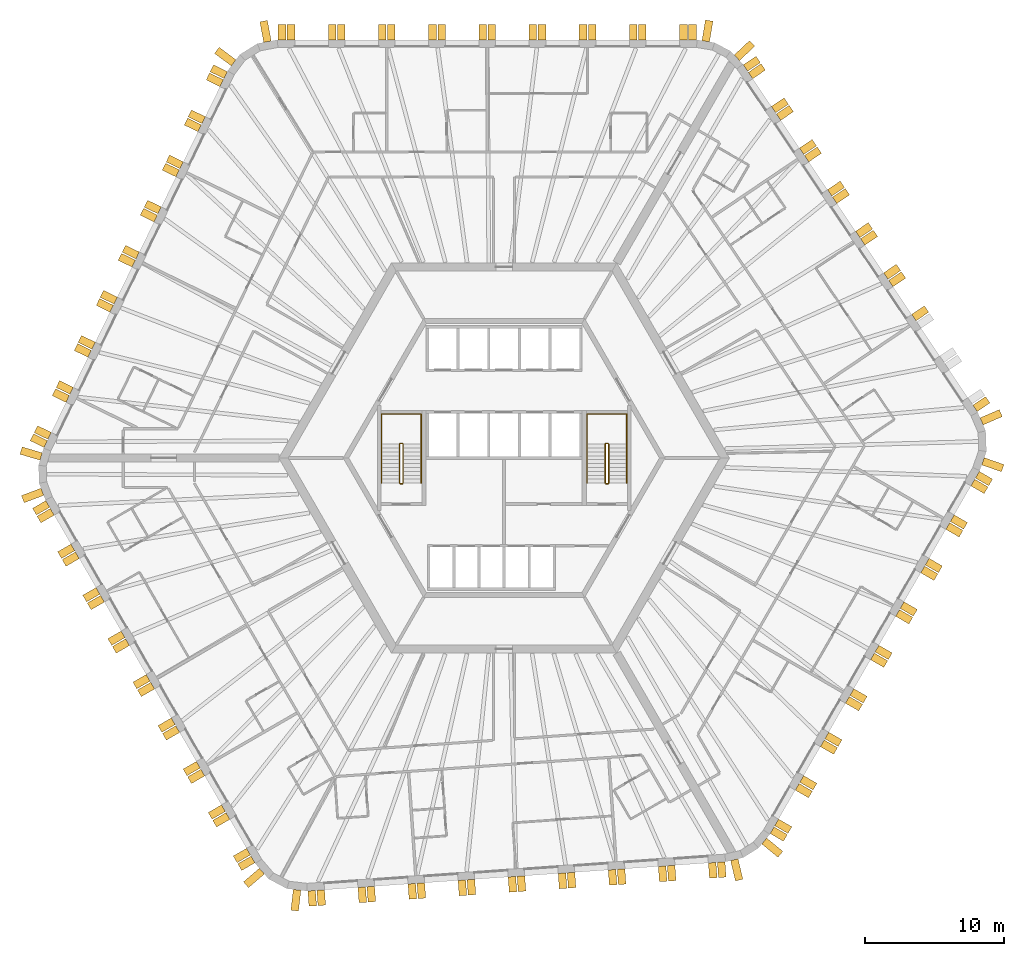
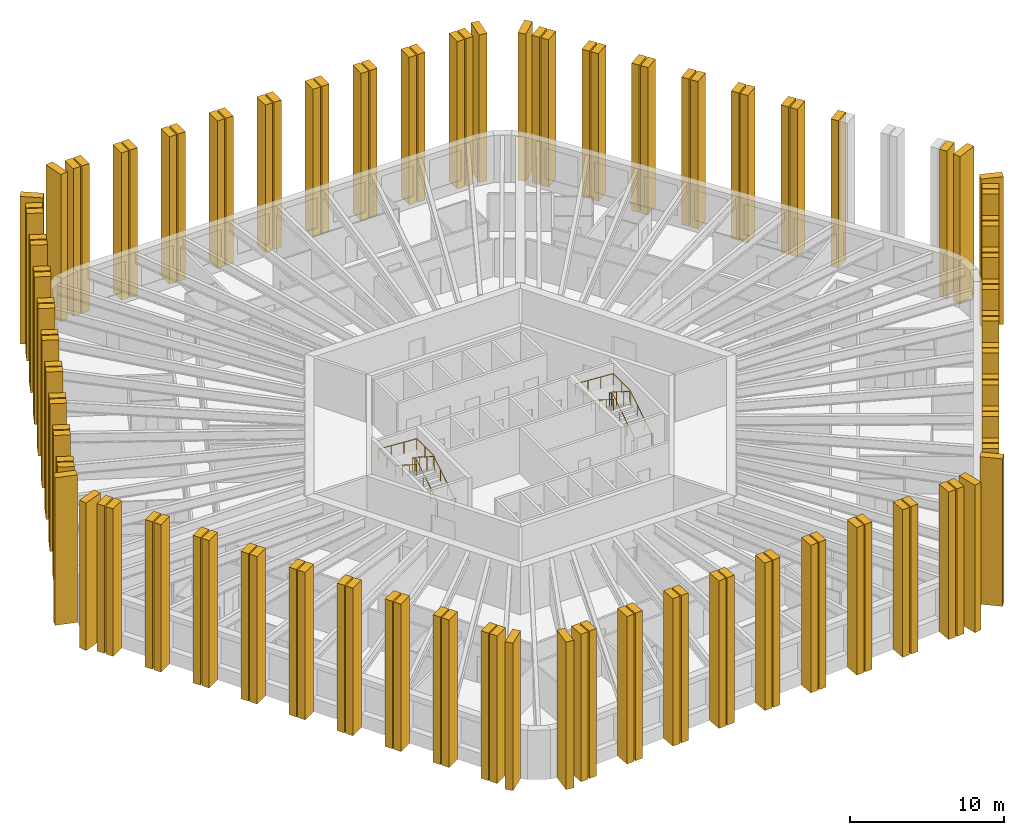
# One storey, part 12 of 13: 116 shading devices, 4 railings.
"""IFC4 building model written with IfcOpenShell, lengths in metres."""

from ifc_helpers import new_model, si_unit, direction, frame, origin, origin_2d, place, context, subcontext, project, spatial, polyline, circle, outline, extrude, material, layer, layer_set, type_object, element, save


model = new_model("IFC4")

# Units and contexts
model_context = context("Model", 3, precision=1e-05, world=origin(), true_north=direction((0.0, 1.0)))
body_context = subcontext(model_context, "Body", "Model", "MODEL_VIEW")
ifc_project = project(units=[si_unit("LENGTHUNIT", "METRE"), si_unit("AREAUNIT", "SQUARE_METRE"), si_unit("VOLUMEUNIT", "CUBIC_METRE"), si_unit("PLANEANGLEUNIT", "RADIAN"), si_unit("MASSUNIT", "GRAM", prefix="KILO")], contexts=[model_context])

# Site, building, storey
site_placement = place(None, origin())
site = spatial("IfcSite", under=ifc_project, at=site_placement, CompositionType="ELEMENT")
building_placement = place(site_placement, origin())
building = spatial("IfcBuilding", under=site, at=building_placement, Name="Tarnside Tower", CompositionType="ELEMENT")
storey_placement = place(building_placement, frame((0.0, 0.0, 123.300048828125)))
storey = spatial("IfcBuildingStorey", under=building, at=storey_placement, Name="L28", CompositionType="ELEMENT", Elevation=123.300048828125)

# Shading devices
ifc_material_1 = material(Name="Concrete C50/60 white precast", Category="concrete")
ifc_layer_1 = layer(ifc_material_1, 0.550048828125)
ifc_layer_set_1 = layer_set([ifc_layer_1], Name="Precast fin 550 x 1100")
shading_device_type_1 = type_object("IfcShadingDeviceType", Name="Precast fin 550 x 1100", PredefinedType="USERDEFINED", material=ifc_layer_set_1)
for number, where, z_axis, x_axis, name in (
    (1, (13.513916015625, 30.0, -0.150146484375), (1.0, 0.0, 0.0), (0.0, 1.0, 0.0), "Precast fin"),
    (2, (12.864013671875, 30.0, -0.150146484375), (1.0, 0.0, 0.0), (0.0, 1.0, 0.0), "Precast fin"),
    (3, (9.9140625, 30.0, -0.150146484375), (1.0, 0.0, 0.0), (0.0, 1.0, 0.0), "Precast fin"),
    (4, (9.263916015625, 30.0, -0.150146484375), (1.0, 0.0, 0.0), (0.0, 1.0, 0.0), "Precast fin"),
    (5, (6.31396484375, 30.0, -0.150146484375), (1.0, 0.0, 0.0), (0.0, 1.0, 0.0), "Precast fin"),
    (6, (5.6640625, 30.0, -0.150146484375), (1.0, 0.0, 0.0), (0.0, 1.0, 0.0), "Precast fin"),
    (7, (2.7138671875, 30.0, -0.150146484375), (1.0, 0.0, 0.0), (0.0, 1.0, 0.0), "Precast fin"),
    (8, (2.06396484375, 30.0, -0.150146484375), (1.0, 0.0, 0.0), (0.0, 1.0, 0.0), "Precast fin"),
    (9, (-0.885986328125, 30.0, -0.150146484375), (1.0, 0.0, 0.0), (0.0, 1.0, 0.0), "Precast fin"),
    (10, (-1.5361328125, 30.0, -0.150146484375), (1.0, 0.0, 0.0), (0.0, 1.0, 0.0), "Precast fin"),
    (11, (-4.486083984375, 30.0, -0.150146484375), (1.0, 0.0, 0.0), (0.0, 1.0, 0.0), "Precast fin"),
    (12, (-5.135986328125, 30.0, -0.150146484375), (1.0, 0.0, 0.0), (0.0, 1.0, 0.0), "Precast fin"),
    (13, (-8.0859375, 30.0, -0.150146484375), (1.0, 0.0, 0.0), (0.0, 1.0, 0.0), "Precast fin"),
    (14, (-8.736083984375, 30.0, -0.150146484375), (1.0, 0.0, 0.0), (0.0, 1.0, 0.0), "Precast fin"),
    (15, (-11.68603515625, 30.0, -0.150146484375), (1.0, 0.0, 0.0), (0.0, 1.0, 0.0), "Precast fin"),
    (16, (-12.3359375, 30.0, -0.150146484375), (1.0, 0.0, 0.0), (0.0, 1.0, 0.0), "Precast fin"),
    (17, (-15.2861328125, 30.0, -0.150146484375), (1.0, 0.0, 0.0), (0.0, 1.0, 0.0), "Precast fin"),
    (18, (-15.93603515625, 30.0, -0.150146484375), (1.0, 0.0, 0.0), (0.0, 1.0, 0.0), "Precast fin"),
    (19, (-19.977783203125, 27.474365234375, -0.150146484375), (0.438371146789, 0.898794046299, 0.0), (-0.898794046299, 0.438371146789, 0.0), "Precast fin"),
    (20, (-20.262939453125, 26.89013671875, -0.150146484375), (0.438371146789, 0.898794046299, 0.0), (-0.898794046299, 0.438371146789, 0.0), "Precast fin"),
    (21, (-21.555908203125, 24.23876953125, -0.150146484375), (0.438371146789, 0.898794046299, 0.0), (-0.898794046299, 0.438371146789, 0.0), "Precast fin"),
    (22, (-21.841064453125, 23.654541015625, -0.150146484375), (0.438371146789, 0.898794046299, 0.0), (-0.898794046299, 0.438371146789, 0.0), "Precast fin"),
    (23, (-23.13427734375, 21.003173828125, -0.150146484375), (0.438371146789, 0.898794046299, 0.0), (-0.898794046299, 0.438371146789, 0.0), "Precast fin"),
    (24, (-23.419189453125, 20.4189453125, -0.150146484375), (0.438371146789, 0.898794046299, 0.0), (-0.898794046299, 0.438371146789, 0.0), "Precast fin"),
    (25, (-24.71240234375, 17.767333984375, -0.150146484375), (0.438371146789, 0.898794046299, 0.0), (-0.898794046299, 0.438371146789, 0.0), "Precast fin"),
    (26, (-24.997314453125, 17.18310546875, -0.150146484375), (0.438371146789, 0.898794046299, 0.0), (-0.898794046299, 0.438371146789, 0.0), "Precast fin"),
    (27, (-26.29052734375, 14.53173828125, -0.150146484375), (0.438371146789, 0.898794046299, 0.0), (-0.898794046299, 0.438371146789, 0.0), "Precast fin"),
    (28, (-26.575439453125, 13.947509765625, -0.150146484375), (0.438371146789, 0.898794046299, 0.0), (-0.898794046299, 0.438371146789, 0.0), "Precast fin"),
    (29, (-27.86865234375, 11.296142578125, -0.150146484375), (0.438371146789, 0.898794046299, 0.0), (-0.898794046299, 0.438371146789, 0.0), "Precast fin"),
    (30, (-28.153564453125, 10.7119140625, -0.150146484375), (0.438371146789, 0.898794046299, 0.0), (-0.898794046299, 0.438371146789, 0.0), "Precast fin"),
    (31, (-29.44677734375, 8.060546875, -0.150146484375), (0.438371146789, 0.898794046299, 0.0), (-0.898794046299, 0.438371146789, 0.0), "Precast fin"),
    (32, (-29.731689453125, 7.476318359375, -0.150146484375), (0.438371146789, 0.898794046299, 0.0), (-0.898794046299, 0.438371146789, 0.0), "Precast fin"),
    (33, (-31.02490234375, 4.82470703125, -0.150146484375), (0.438371146789, 0.898794046299, 0.0), (-0.898794046299, 0.438371146789, 0.0), "Precast fin"),
    (34, (-31.309814453125, 4.240478515625, -0.150146484375), (0.438371146789, 0.898794046299, 0.0), (-0.898794046299, 0.438371146789, 0.0), "Precast fin"),
    (35, (-32.60302734375, 1.589111328125, -0.150146484375), (0.438371146789, 0.898794046299, 0.0), (-0.898794046299, 0.438371146789, 0.0), "Precast fin"),
    (36, (-32.887939453125, 1.0048828125, -0.150146484375), (0.438371146789, 0.898794046299, 0.0), (-0.898794046299, 0.438371146789, 0.0), "Precast fin"),
    (37, (-32.73779296875, -3.296630859375, -0.150146484375), (-0.5, 0.866025403784, 0.0), (-0.866025403784, -0.5, 0.0), "Precast fin"),
    (38, (-32.412841796875, -3.859375, -0.150146484375), (-0.5, 0.866025403784, 0.0), (-0.866025403784, -0.5, 0.0), "Precast fin"),
    (39, (-30.937744140625, -6.414306640625, -0.150146484375), (-0.5, 0.866025403784, 0.0), (-0.866025403784, -0.5, 0.0), "Precast fin"),
    (40, (-30.61279296875, -6.977294921875, -0.150146484375), (-0.5, 0.866025403784, 0.0), (-0.866025403784, -0.5, 0.0), "Precast fin"),
    (41, (-29.1376953125, -9.531982421875, -0.150146484375), (-0.5, 0.866025403784, 0.0), (-0.866025403784, -0.5, 0.0), "Precast fin"),
    (42, (-28.812744140625, -10.094970703125, -0.150146484375), (-0.5, 0.866025403784, 0.0), (-0.866025403784, -0.5, 0.0), "Precast fin"),
    (43, (-27.337646484375, -12.649658203125, -0.150146484375), (-0.5, 0.866025403784, 0.0), (-0.866025403784, -0.5, 0.0), "Precast fin"),
    (44, (-27.0126953125, -13.212646484375, -0.150146484375), (-0.5, 0.866025403784, 0.0), (-0.866025403784, -0.5, 0.0), "Precast fin"),
    (45, (-25.537841796875, -15.767333984375, -0.150146484375), (-0.5, 0.866025403784, 0.0), (-0.866025403784, -0.5, 0.0), "Precast fin"),
    (46, (-25.212646484375, -16.330322265625, -0.150146484375), (-0.5, 0.866025403784, 0.0), (-0.866025403784, -0.5, 0.0), "Precast fin"),
    (47, (-23.73779296875, -18.885009765625, -0.150146484375), (-0.5, 0.866025403784, 0.0), (-0.866025403784, -0.5, 0.0), "Precast fin"),
    (48, (-23.412841796875, -19.447998046875, -0.150146484375), (-0.5, 0.866025403784, 0.0), (-0.866025403784, -0.5, 0.0), "Precast fin"),
    (49, (-21.937744140625, -22.002685546875, -0.150146484375), (-0.5, 0.866025403784, 0.0), (-0.866025403784, -0.5, 0.0), "Precast fin"),
    (50, (-21.61279296875, -22.565673828125, -0.150146484375), (-0.5, 0.866025403784, 0.0), (-0.866025403784, -0.5, 0.0), "Precast fin"),
    (51, (-20.1376953125, -25.120361328125, -0.150146484375), (-0.5, 0.866025403784, 0.0), (-0.866025403784, -0.5, 0.0), "Precast fin"),
    (52, (-19.812744140625, -25.683349609375, -0.150146484375), (-0.5, 0.866025403784, 0.0), (-0.866025403784, -0.5, 0.0), "Precast fin"),
    (53, (-18.337646484375, -28.238037109375, -0.150146484375), (-0.5, 0.866025403784, 0.0), (-0.866025403784, -0.5, 0.0), "Precast fin"),
    (54, (-18.0126953125, -28.801025390625, -0.150146484375), (-0.5, 0.866025403784, 0.0), (-0.866025403784, -0.5, 0.0), "Precast fin"),
    (55, (-13.8046875, -31.03857421875, -0.150146484375), (-0.99756405026, -0.069756473744, 0.0), (0.069756473744, -0.99756405026, 0.0), "Precast fin"),
    (56, (-13.15625, -30.9931640625, -0.150146484375), (-0.99756405026, -0.069756473744, 0.0), (0.069756473744, -0.99756405026, 0.0), "Precast fin"),
    (57, (-10.21337890625, -30.787353515625, -0.150146484375), (-0.99756405026, -0.069756473744, 0.0), (0.069756473744, -0.99756405026, 0.0), "Precast fin"),
    (58, (-9.56494140625, -30.7421875, -0.150146484375), (-0.99756405026, -0.069756473744, 0.0), (0.069756473744, -0.99756405026, 0.0), "Precast fin"),
    (59, (-6.6220703125, -30.536376953125, -0.150146484375), (-0.99756405026, -0.069756473744, 0.0), (0.069756473744, -0.99756405026, 0.0), "Precast fin"),
    (60, (-5.9736328125, -30.490966796875, -0.150146484375), (-0.99756405026, -0.069756473744, 0.0), (0.069756473744, -0.99756405026, 0.0), "Precast fin"),
    (61, (-3.031005859375, -30.28515625, -0.150146484375), (-0.99756405026, -0.069756473744, 0.0), (0.069756473744, -0.99756405026, 0.0), "Precast fin"),
    (62, (-2.382568359375, -30.23974609375, -0.150146484375), (-0.99756405026, -0.069756473744, 0.0), (0.069756473744, -0.99756405026, 0.0), "Precast fin"),
    (63, (0.560302734375, -30.0341796875, -0.150146484375), (-0.99756405026, -0.069756473744, 0.0), (0.069756473744, -0.99756405026, 0.0), "Precast fin"),
    (64, (1.208740234375, -29.98876953125, -0.150146484375), (-0.99756405026, -0.069756473744, 0.0), (0.069756473744, -0.99756405026, 0.0), "Precast fin"),
    (65, (4.151611328125, -29.782958984375, -0.150146484375), (-0.99756405026, -0.069756473744, 0.0), (0.069756473744, -0.99756405026, 0.0), "Precast fin"),
    (66, (4.800048828125, -29.737548828125, -0.150146484375), (-0.99756405026, -0.069756473744, 0.0), (0.069756473744, -0.99756405026, 0.0), "Precast fin"),
    (67, (7.74267578125, -29.53173828125, -0.150146484375), (-0.99756405026, -0.069756473744, 0.0), (0.069756473744, -0.99756405026, 0.0), "Precast fin"),
    (68, (8.39111328125, -29.486572265625, -0.150146484375), (-0.99756405026, -0.069756473744, 0.0), (0.069756473744, -0.99756405026, 0.0), "Precast fin"),
    (69, (11.333984375, -29.28076171875, -0.150146484375), (-0.99756405026, -0.069756473744, 0.0), (0.069756473744, -0.99756405026, 0.0), "Precast fin"),
    (70, (11.982421875, -29.2353515625, -0.150146484375), (-0.99756405026, -0.069756473744, 0.0), (0.069756473744, -0.99756405026, 0.0), "Precast fin"),
    (71, (14.92529296875, -29.029541015625, -0.150146484375), (-0.99756405026, -0.069756473744, 0.0), (0.069756473744, -0.99756405026, 0.0), "Precast fin"),
    (72, (15.57373046875, -28.984130859375, -0.150146484375), (-0.99756405026, -0.069756473744, 0.0), (0.069756473744, -0.99756405026, 0.0), "Precast fin"),
    (73, (19.223876953125, -26.703369140625, -0.150146484375), (-0.5, -0.866025403784, 0.0), (0.866025403784, -0.5, 0.0), "Precast fin"),
    (74, (19.548828125, -26.140625, -0.150146484375), (-0.5, -0.866025403784, 0.0), (0.866025403784, -0.5, 0.0), "Precast fin"),
    (75, (21.023681640625, -23.585693359375, -0.150146484375), (-0.5, -0.866025403784, 0.0), (0.866025403784, -0.5, 0.0), "Precast fin"),
    (76, (21.348876953125, -23.022705078125, -0.150146484375), (-0.5, -0.866025403784, 0.0), (0.866025403784, -0.5, 0.0), "Precast fin"),
    (77, (22.82373046875, -20.468017578125, -0.150146484375), (-0.5, -0.866025403784, 0.0), (0.866025403784, -0.5, 0.0), "Precast fin"),
    (78, (23.148681640625, -19.905029296875, -0.150146484375), (-0.5, -0.866025403784, 0.0), (0.866025403784, -0.5, 0.0), "Precast fin"),
    (79, (24.623779296875, -17.350341796875, -0.150146484375), (-0.5, -0.866025403784, 0.0), (0.866025403784, -0.5, 0.0), "Precast fin"),
    (80, (24.94873046875, -16.787353515625, -0.150146484375), (-0.5, -0.866025403784, 0.0), (0.866025403784, -0.5, 0.0), "Precast fin"),
    (81, (26.423828125, -14.232666015625, -0.150146484375), (-0.5, -0.866025403784, 0.0), (0.866025403784, -0.5, 0.0), "Precast fin"),
    (82, (26.748779296875, -13.669677734375, -0.150146484375), (-0.5, -0.866025403784, 0.0), (0.866025403784, -0.5, 0.0), "Precast fin"),
    (83, (28.223876953125, -11.114990234375, -0.150146484375), (-0.5, -0.866025403784, 0.0), (0.866025403784, -0.5, 0.0), "Precast fin"),
    (84, (28.548828125, -10.552001953125, -0.150146484375), (-0.5, -0.866025403784, 0.0), (0.866025403784, -0.5, 0.0), "Precast fin"),
    (85, (30.023681640625, -7.997314453125, -0.150146484375), (-0.5, -0.866025403784, 0.0), (0.866025403784, -0.5, 0.0), "Precast fin"),
    (86, (30.348876953125, -7.434326171875, -0.150146484375), (-0.5, -0.866025403784, 0.0), (0.866025403784, -0.5, 0.0), "Precast fin"),
    (87, (31.82373046875, -4.879638671875, -0.150146484375), (-0.5, -0.866025403784, 0.0), (0.866025403784, -0.5, 0.0), "Precast fin"),
    (88, (32.148681640625, -4.316650390625, -0.150146484375), (-0.5, -0.866025403784, 0.0), (0.866025403784, -0.5, 0.0), "Precast fin"),
    (89, (33.623779296875, -1.761962890625, -0.150146484375), (-0.5, -0.866025403784, 0.0), (0.866025403784, -0.5, 0.0), "Precast fin"),
    (90, (33.94873046875, -1.198974609375, -0.150146484375), (-0.5, -0.866025403784, 0.0), (0.866025403784, -0.5, 0.0), "Precast fin"),
    (91, (33.782470703125, 3.564208984375, -0.150146484375), (0.559192903471, -0.829037572555, 0.0), (0.829037572555, 0.559192903471, 0.0), "Precast fin"),
    (92, (29.392822265625, 10.072021484375, -0.150146484375), (0.559192903471, -0.829037572555, 0.0), (0.829037572555, 0.559192903471, 0.0), "Precast fin"),
    (93, (27.7431640625, 12.517822265625, -0.150146484375), (0.559192903471, -0.829037572555, 0.0), (0.829037572555, 0.559192903471, 0.0), "Precast fin"),
    (94, (27.379638671875, 13.056640625, -0.150146484375), (0.559192903471, -0.829037572555, 0.0), (0.829037572555, 0.559192903471, 0.0), "Precast fin"),
    (95, (25.730224609375, 15.502197265625, -0.150146484375), (0.559192903471, -0.829037572555, 0.0), (0.829037572555, 0.559192903471, 0.0), "Precast fin"),
    (96, (25.36669921875, 16.041259765625, -0.150146484375), (0.559192903471, -0.829037572555, 0.0), (0.829037572555, 0.559192903471, 0.0), "Precast fin"),
    (97, (23.717041015625, 18.48681640625, -0.150146484375), (0.559192903471, -0.829037572555, 0.0), (0.829037572555, 0.559192903471, 0.0), "Precast fin"),
    (98, (23.353515625, 19.025634765625, -0.150146484375), (0.559192903471, -0.829037572555, 0.0), (0.829037572555, 0.559192903471, 0.0), "Precast fin"),
    (99, (21.703857421875, 21.471435546875, -0.150146484375), (0.559192903471, -0.829037572555, 0.0), (0.829037572555, 0.559192903471, 0.0), "Precast fin"),
    (100, (21.34033203125, 22.01025390625, -0.150146484375), (0.559192903471, -0.829037572555, 0.0), (0.829037572555, 0.559192903471, 0.0), "Precast fin"),
    (101, (19.69091796875, 24.455810546875, -0.150146484375), (0.559192903471, -0.829037572555, 0.0), (0.829037572555, 0.559192903471, 0.0), "Precast fin"),
    (102, (19.327392578125, 24.994873046875, -0.150146484375), (0.559192903471, -0.829037572555, 0.0), (0.829037572555, 0.559192903471, 0.0), "Precast fin"),
    (103, (17.677734375, 27.4404296875, -0.150146484375), (0.559192903471, -0.829037572555, 0.0), (0.829037572555, 0.559192903471, 0.0), "Precast fin"),
    (104, (17.314208984375, 27.979248046875, -0.150146484375), (0.559192903471, -0.829037572555, 0.0), (0.829037572555, 0.559192903471, 0.0), "Precast fin"),
):
    element("IfcShadingDevice", number, at=place(storey_placement, frame(where, z_axis=z_axis, x_axis=x_axis)), inside=storey, type_object=shading_device_type_1, Name=name, ObjectType="FIN", PredefinedType="USERDEFINED", context=body_context, shape_type="SweptSolid", body=[
        extrude(outline(polyline([(0.0, 0.0), (1.10009765625, 0.0), (1.10009765625, 11.7001953125), (0.0, 11.7001953125), (0.0, 0.0)])), frame((0.0, 0.0, -0.27490234375)), (0.0, 0.0, 1.0), 0.550048828125),
    ])
ifc_layer_2 = layer(ifc_material_1, 0.550048828125)
ifc_layer_set_2 = layer_set([ifc_layer_2], Name="Precast fin 550 x 1500")
shading_device_type_2 = type_object("IfcShadingDeviceType", Name="Precast fin 550 x 1500", PredefinedType="USERDEFINED", material=ifc_layer_set_2)
for number, where, z_axis, x_axis, name in (
    (105, (-16.97509765625, 29.86767578125, -0.150146484375), (0.982720646705, 0.18509492305, 0.0), (-0.18509492305, 0.982720646705, 0.0), "Precast fin"),
    (106, (-19.403564453125, 28.35009765625, -0.150146484375), (0.597158591707, 0.802123192752, 0.0), (-0.802123192752, 0.597158591707, 0.0), "Precast fin"),
    (107, (-33.213623046875, 0.10546875, -0.150146484375), (0.286803232717, 0.957989512314, 0.0), (-0.957989512314, 0.286803232717, 0.0), "Precast fin"),
    (108, (-33.125244140625, -2.422119140625, -0.150146484375), (-0.352930564719, 0.935649515837, 0.0), (-0.935649515837, -0.352930564719, 0.0), "Precast fin"),
    (109, (-17.378662109375, -29.634765625, -0.150146484375), (-0.651657228826, 0.758513583345, 0.0), (-0.758513583345, -0.651657228826, 0.0), "Precast fin"),
    (110, (-14.850341796875, -30.97900390625, -0.150146484375), (-0.993238357741, 0.116092914131, 0.0), (-0.116092914131, -0.993238357741, 0.0), "Precast fin"),
    (111, (16.515625, -28.81640625, -0.150146484375), (-0.973044870581, -0.230615870737, 0.0), (0.230615870737, -0.973044870581, 0.0), "Precast fin"),
    (112, (18.66015625, -27.476318359375, -0.150146484375), (-0.633830967394, -0.773471592738, 0.0), (0.773471592738, -0.633830967394, 0.0), "Precast fin"),
    (113, (34.353759765625, -0.23291015625, -0.150146484375), (-0.331063417879, -0.943608506396, 0.0), (0.943608506396, -0.331063417879, 0.0), "Precast fin"),
    (114, (34.253662109375, 2.62890625, -0.150146484375), (0.396079766034, -0.918216106883, 0.0), (0.918216106883, 0.396079766034, 0.0), "Precast fin"),
    (115, (16.697998046875, 28.711181640625, -0.150146484375), (0.686241637865, -0.727373641577, 0.0), (0.727373641577, 0.686241637865, 0.0), "Precast fin"),
    (116, (14.465087890625, 29.8984375, -0.150146484375), (0.986761532114, -0.1621779231, 0.0), (0.1621779231, 0.986761532114, 0.0), "Precast fin"),
):
    element("IfcShadingDevice", number, at=place(storey_placement, frame(where, z_axis=z_axis, x_axis=x_axis)), inside=storey, type_object=shading_device_type_2, Name=name, ObjectType="FIN", PredefinedType="USERDEFINED", context=body_context, shape_type="SweptSolid", body=[
        extrude(outline(polyline([(0.0, 0.0), (1.5, 0.0), (1.5, 11.7001953125), (0.0, 11.7001953125), (0.0, 0.0)])), frame((0.0, 0.0, -0.27490234375)), (0.0, 0.0, 1.0), 0.550048828125),
    ])

# Railings
ifc_material_2 = material(Name="Stainless steel", Category="steel")
railing_type_1 = type_object("IfcRailingType", Name="Stair guard 1100", PredefinedType="GUARDRAIL", material=ifc_material_2)
railing_1_placement = place(storey_placement, frame((7.300048828125, -1.85009765625, 0.0)))
element("IfcRailing", 117, at=railing_1_placement, inside=storey, type_object=railing_type_1, Name="L28 ST1 stair guard 1", PredefinedType="GUARDRAIL", context=body_context, shape_type="SweptSolid", body=[
    extrude(circle(Radius=0.02392578125, at=origin_2d()), frame((0.0, 0.0, 1.076171875), z_axis=(1.0, 0.0, 0.0), x_axis=(0.0, 1.0, 0.0)), (0.0, 0.0, 1.0), 0.14990234375),
    extrude(circle(Radius=0.02392578125, at=origin_2d()), frame((0.14990234375, 0.0, 1.076171875), z_axis=(0.262233686654, 0.262233686654, 0.928691007369), x_axis=(-0.707106781187, 0.707106781187, 0.0)), (0.0, 0.0, 1.0), 0.19091796875),
    extrude(circle(Radius=0.02392578125, at=origin_2d()), frame((0.199951171875, 0.050048828125, 1.25341796875), z_axis=(0.0, 0.844908973607, 0.534910110503), x_axis=(-1.0, 0.0, 0.0)), (0.0, 0.0, 1.0), 3.31396484375),
    extrude(circle(Radius=0.02392578125, at=origin_2d()), frame((0.199951171875, 2.85009765625, 3.02587890625), z_axis=(-0.707106781187, 0.707106781187, 0.0), x_axis=(-0.707106781187, -0.707106781187, 0.0)), (0.0, 0.0, 1.0), 0.07080078125),
    extrude(circle(Radius=0.02392578125, at=origin_2d()), frame((0.14990234375, 2.900146484375, 3.02587890625), z_axis=(-1.0, 0.0, 0.0), x_axis=(0.0, -1.0, 0.0)), (0.0, 0.0, 1.0), 0.14990234375),
    extrude(circle(Radius=0.02392578125, at=origin_2d()), frame((0.0, 2.900146484375, 3.02587890625), z_axis=(-0.262233686654, -0.262233686654, 0.928691007369), x_axis=(0.707106781187, -0.707106781187, 0.0)), (0.0, 0.0, 1.0), 0.19091796875),
    extrude(circle(Radius=0.02392578125, at=origin_2d()), frame((-0.050048828125, 2.85009765625, 3.203125), z_axis=(0.0, -0.844908973607, 0.534910110503), x_axis=(1.0, 0.0, 0.0)), (0.0, 0.0, 1.0), 3.31396484375),
    extrude(circle(Radius=0.02099609375, at=origin_2d()), origin(), (0.0, 0.0, 1.0), 1.052001953125),
    extrude(circle(Radius=0.02099609375, at=origin_2d()), frame((0.14990234375, 0.0, 0.0)), (0.0, 0.0, 1.0), 1.052001953125),
    extrude(circle(Radius=0.02099609375, at=origin_2d()), frame((0.199951171875, 0.050048828125, 0.17724609375)), (0.0, 0.0, 1.0), 1.052001953125),
    extrude(circle(Radius=0.02099609375, at=origin_2d()), frame((0.199951171875, 0.9833984375, 0.76806640625)), (0.0, 0.0, 1.0), 1.052001953125),
    extrude(circle(Radius=0.02099609375, at=origin_2d()), frame((0.199951171875, 1.916748046875, 1.359130859375)), (0.0, 0.0, 1.0), 1.052001953125),
    extrude(circle(Radius=0.02099609375, at=origin_2d()), frame((0.199951171875, 2.85009765625, 1.949951171875)), (0.0, 0.0, 1.0), 1.052001953125),
    extrude(circle(Radius=0.02099609375, at=origin_2d()), frame((0.14990234375, 2.900146484375, 1.949951171875)), (0.0, 0.0, 1.0), 1.052001953125),
    extrude(circle(Radius=0.02099609375, at=origin_2d()), frame((0.0, 2.900146484375, 1.949951171875)), (0.0, 0.0, 1.0), 1.052001953125),
    extrude(circle(Radius=0.02099609375, at=origin_2d()), frame((-0.050048828125, 2.85009765625, 2.127197265625)), (0.0, 0.0, 1.0), 1.052001953125),
    extrude(circle(Radius=0.02099609375, at=origin_2d()), frame((-0.050048828125, 1.916748046875, 2.718017578125)), (0.0, 0.0, 1.0), 1.052001953125),
    extrude(circle(Radius=0.02099609375, at=origin_2d()), frame((-0.050048828125, 0.9833984375, 3.30908203125)), (0.0, 0.0, 1.0), 1.052001953125),
    extrude(circle(Radius=0.02099609375, at=origin_2d()), frame((-0.050048828125, 0.050048828125, 3.89990234375)), (0.0, 0.0, 1.0), 1.052001953125),
])
railing_2_placement = place(storey_placement, frame((-7.449951171875, -1.85009765625, 0.0)))
element("IfcRailing", 118, at=railing_2_placement, inside=storey, type_object=railing_type_1, Name="L28 ST2 stair guard 1", PredefinedType="GUARDRAIL", context=body_context, shape_type="SweptSolid", body=[
    extrude(circle(Radius=0.02392578125, at=origin_2d()), frame((0.0, 0.0, 1.076171875), z_axis=(1.0, 0.0, 0.0), x_axis=(0.0, 1.0, 0.0)), (0.0, 0.0, 1.0), 0.14990234375),
    extrude(circle(Radius=0.02392578125, at=origin_2d()), frame((0.14990234375, 0.0, 1.076171875), z_axis=(0.262233686654, 0.262233686654, 0.928691007369), x_axis=(-0.707106781187, 0.707106781187, 0.0)), (0.0, 0.0, 1.0), 0.19091796875),
    extrude(circle(Radius=0.02392578125, at=origin_2d()), frame((0.199951171875, 0.050048828125, 1.25341796875), z_axis=(0.0, 0.844908973607, 0.534910110503), x_axis=(-1.0, 0.0, 0.0)), (0.0, 0.0, 1.0), 3.31396484375),
    extrude(circle(Radius=0.02392578125, at=origin_2d()), frame((0.199951171875, 2.85009765625, 3.02587890625), z_axis=(-0.707106781187, 0.707106781187, 0.0), x_axis=(-0.707106781187, -0.707106781187, 0.0)), (0.0, 0.0, 1.0), 0.07080078125),
    extrude(circle(Radius=0.02392578125, at=origin_2d()), frame((0.14990234375, 2.900146484375, 3.02587890625), z_axis=(-1.0, 0.0, 0.0), x_axis=(0.0, -1.0, 0.0)), (0.0, 0.0, 1.0), 0.14990234375),
    extrude(circle(Radius=0.02392578125, at=origin_2d()), frame((0.0, 2.900146484375, 3.02587890625), z_axis=(-0.262233686654, -0.262233686654, 0.928691007369), x_axis=(0.707106781187, -0.707106781187, 0.0)), (0.0, 0.0, 1.0), 0.19091796875),
    extrude(circle(Radius=0.02392578125, at=origin_2d()), frame((-0.050048828125, 2.85009765625, 3.203125), z_axis=(0.0, -0.844908973607, 0.534910110503), x_axis=(1.0, 0.0, 0.0)), (0.0, 0.0, 1.0), 3.31396484375),
    extrude(circle(Radius=0.02099609375, at=origin_2d()), origin(), (0.0, 0.0, 1.0), 1.052001953125),
    extrude(circle(Radius=0.02099609375, at=origin_2d()), frame((0.14990234375, 0.0, 0.0)), (0.0, 0.0, 1.0), 1.052001953125),
    extrude(circle(Radius=0.02099609375, at=origin_2d()), frame((0.199951171875, 0.050048828125, 0.17724609375)), (0.0, 0.0, 1.0), 1.052001953125),
    extrude(circle(Radius=0.02099609375, at=origin_2d()), frame((0.199951171875, 0.9833984375, 0.76806640625)), (0.0, 0.0, 1.0), 1.052001953125),
    extrude(circle(Radius=0.02099609375, at=origin_2d()), frame((0.199951171875, 1.916748046875, 1.359130859375)), (0.0, 0.0, 1.0), 1.052001953125),
    extrude(circle(Radius=0.02099609375, at=origin_2d()), frame((0.199951171875, 2.85009765625, 1.949951171875)), (0.0, 0.0, 1.0), 1.052001953125),
    extrude(circle(Radius=0.02099609375, at=origin_2d()), frame((0.14990234375, 2.900146484375, 1.949951171875)), (0.0, 0.0, 1.0), 1.052001953125),
    extrude(circle(Radius=0.02099609375, at=origin_2d()), frame((0.0, 2.900146484375, 1.949951171875)), (0.0, 0.0, 1.0), 1.052001953125),
    extrude(circle(Radius=0.02099609375, at=origin_2d()), frame((-0.050048828125, 2.85009765625, 2.127197265625)), (0.0, 0.0, 1.0), 1.052001953125),
    extrude(circle(Radius=0.02099609375, at=origin_2d()), frame((-0.050048828125, 1.916748046875, 2.718017578125)), (0.0, 0.0, 1.0), 1.052001953125),
    extrude(circle(Radius=0.02099609375, at=origin_2d()), frame((-0.050048828125, 0.9833984375, 3.30908203125)), (0.0, 0.0, 1.0), 1.052001953125),
    extrude(circle(Radius=0.02099609375, at=origin_2d()), frame((-0.050048828125, 0.050048828125, 3.89990234375)), (0.0, 0.0, 1.0), 1.052001953125),
])
railing_type_2 = type_object("IfcRailingType", Name="Stair handrail 900", PredefinedType="HANDRAIL", material=ifc_material_2)
railing_3_placement = place(storey_placement, frame((8.800048828125, -1.800048828125, 0.17724609375)))
element("IfcRailing", 119, at=railing_3_placement, inside=storey, type_object=railing_type_2, Name="L28 ST1 stair handrail 1", PredefinedType="HANDRAIL", context=body_context, shape_type="SweptSolid", body=[
    extrude(circle(Radius=0.02392578125, at=origin_2d()), frame((0.0, 0.0, 0.8857421875), z_axis=(0.0, 0.844908973607, 0.534910110503), x_axis=(-1.0, 0.0, 0.0)), (0.0, 0.0, 1.0), 3.31396484375),
    extrude(circle(Radius=0.02392578125, at=origin_2d()), frame((0.0, 2.800048828125, 2.65869140625), z_axis=(0.0, 1.0, 0.0), x_axis=(-1.0, 0.0, 0.0)), (0.0, 0.0, 1.0), 2.14990234375),
    extrude(circle(Radius=0.02392578125, at=origin_2d()), frame((0.0, 4.949951171875, 2.65869140625), z_axis=(-0.998071825391, 0.0, 0.06206956872), x_axis=(0.0, -1.0, 0.0)), (0.0, 0.0, 1.0), 2.855712890625),
    extrude(circle(Radius=0.02392578125, at=origin_2d()), frame((-2.85009765625, 4.949951171875, 2.8359375), z_axis=(0.0, -1.0, 0.0), x_axis=(1.0, 0.0, 0.0)), (0.0, 0.0, 1.0), 2.14990234375),
    extrude(circle(Radius=0.02392578125, at=origin_2d()), frame((-2.85009765625, 2.800048828125, 2.8359375), z_axis=(0.0, -0.844908973607, 0.534910110503), x_axis=(1.0, 0.0, 0.0)), (0.0, 0.0, 1.0), 3.31396484375),
    extrude(circle(Radius=0.02099609375, at=origin_2d()), origin(), (0.0, 0.0, 1.0), 0.86181640625),
    extrude(circle(Radius=0.02099609375, at=origin_2d()), frame((0.0, 0.933349609375, 0.5908203125)), (0.0, 0.0, 1.0), 0.86181640625),
    extrude(circle(Radius=0.02099609375, at=origin_2d()), frame((0.0, 1.86669921875, 1.181884765625)), (0.0, 0.0, 1.0), 0.86181640625),
    extrude(circle(Radius=0.02099609375, at=origin_2d()), frame((0.0, 2.800048828125, 1.772705078125)), (0.0, 0.0, 1.0), 0.86181640625),
    extrude(circle(Radius=0.02099609375, at=origin_2d()), frame((0.0, 3.875, 1.772705078125)), (0.0, 0.0, 1.0), 0.86181640625),
    extrude(circle(Radius=0.02099609375, at=origin_2d()), frame((0.0, 4.949951171875, 1.772705078125)), (0.0, 0.0, 1.0), 0.86181640625),
    extrude(circle(Radius=0.02099609375, at=origin_2d()), frame((-0.949951171875, 4.949951171875, 1.831787109375)), (0.0, 0.0, 1.0), 0.86181640625),
    extrude(circle(Radius=0.02099609375, at=origin_2d()), frame((-1.900146484375, 4.949951171875, 1.890869140625)), (0.0, 0.0, 1.0), 0.86181640625),
    extrude(circle(Radius=0.02099609375, at=origin_2d()), frame((-2.85009765625, 4.949951171875, 1.949951171875)), (0.0, 0.0, 1.0), 0.86181640625),
    extrude(circle(Radius=0.02099609375, at=origin_2d()), frame((-2.85009765625, 3.875, 1.949951171875)), (0.0, 0.0, 1.0), 0.86181640625),
    extrude(circle(Radius=0.02099609375, at=origin_2d()), frame((-2.85009765625, 2.800048828125, 1.949951171875)), (0.0, 0.0, 1.0), 0.86181640625),
    extrude(circle(Radius=0.02099609375, at=origin_2d()), frame((-2.85009765625, 1.86669921875, 2.540771484375)), (0.0, 0.0, 1.0), 0.86181640625),
    extrude(circle(Radius=0.02099609375, at=origin_2d()), frame((-2.85009765625, 0.933349609375, 3.1318359375)), (0.0, 0.0, 1.0), 0.86181640625),
    extrude(circle(Radius=0.02099609375, at=origin_2d()), frame((-2.85009765625, 0.0, 3.72265625)), (0.0, 0.0, 1.0), 0.86181640625),
])
railing_4_placement = place(storey_placement, frame((-5.949951171875, -1.800048828125, 0.17724609375)))
element("IfcRailing", 120, at=railing_4_placement, inside=storey, type_object=railing_type_2, Name="L28 ST2 stair handrail 1", PredefinedType="HANDRAIL", context=body_context, shape_type="SweptSolid", body=[
    extrude(circle(Radius=0.02392578125, at=origin_2d()), frame((0.0, 0.0, 0.8857421875), z_axis=(0.0, 0.844908973607, 0.534910110503), x_axis=(-1.0, 0.0, 0.0)), (0.0, 0.0, 1.0), 3.31396484375),
    extrude(circle(Radius=0.02392578125, at=origin_2d()), frame((0.0, 2.800048828125, 2.65869140625), z_axis=(0.0, 1.0, 0.0), x_axis=(-1.0, 0.0, 0.0)), (0.0, 0.0, 1.0), 2.14990234375),
    extrude(circle(Radius=0.02392578125, at=origin_2d()), frame((0.0, 4.949951171875, 2.65869140625), z_axis=(-0.998071825391, 0.0, 0.06206956872), x_axis=(0.0, -1.0, 0.0)), (0.0, 0.0, 1.0), 2.855712890625),
    extrude(circle(Radius=0.02392578125, at=origin_2d()), frame((-2.85009765625, 4.949951171875, 2.8359375), z_axis=(0.0, -1.0, 0.0), x_axis=(1.0, 0.0, 0.0)), (0.0, 0.0, 1.0), 2.14990234375),
    extrude(circle(Radius=0.02392578125, at=origin_2d()), frame((-2.85009765625, 2.800048828125, 2.8359375), z_axis=(0.0, -0.844908973607, 0.534910110503), x_axis=(1.0, 0.0, 0.0)), (0.0, 0.0, 1.0), 3.31396484375),
    extrude(circle(Radius=0.02099609375, at=origin_2d()), origin(), (0.0, 0.0, 1.0), 0.86181640625),
    extrude(circle(Radius=0.02099609375, at=origin_2d()), frame((0.0, 0.933349609375, 0.5908203125)), (0.0, 0.0, 1.0), 0.86181640625),
    extrude(circle(Radius=0.02099609375, at=origin_2d()), frame((0.0, 1.86669921875, 1.181884765625)), (0.0, 0.0, 1.0), 0.86181640625),
    extrude(circle(Radius=0.02099609375, at=origin_2d()), frame((0.0, 2.800048828125, 1.772705078125)), (0.0, 0.0, 1.0), 0.86181640625),
    extrude(circle(Radius=0.02099609375, at=origin_2d()), frame((0.0, 3.875, 1.772705078125)), (0.0, 0.0, 1.0), 0.86181640625),
    extrude(circle(Radius=0.02099609375, at=origin_2d()), frame((0.0, 4.949951171875, 1.772705078125)), (0.0, 0.0, 1.0), 0.86181640625),
    extrude(circle(Radius=0.02099609375, at=origin_2d()), frame((-0.949951171875, 4.949951171875, 1.831787109375)), (0.0, 0.0, 1.0), 0.86181640625),
    extrude(circle(Radius=0.02099609375, at=origin_2d()), frame((-1.900146484375, 4.949951171875, 1.890869140625)), (0.0, 0.0, 1.0), 0.86181640625),
    extrude(circle(Radius=0.02099609375, at=origin_2d()), frame((-2.85009765625, 4.949951171875, 1.949951171875)), (0.0, 0.0, 1.0), 0.86181640625),
    extrude(circle(Radius=0.02099609375, at=origin_2d()), frame((-2.85009765625, 3.875, 1.949951171875)), (0.0, 0.0, 1.0), 0.86181640625),
    extrude(circle(Radius=0.02099609375, at=origin_2d()), frame((-2.85009765625, 2.800048828125, 1.949951171875)), (0.0, 0.0, 1.0), 0.86181640625),
    extrude(circle(Radius=0.02099609375, at=origin_2d()), frame((-2.85009765625, 1.86669921875, 2.540771484375)), (0.0, 0.0, 1.0), 0.86181640625),
    extrude(circle(Radius=0.02099609375, at=origin_2d()), frame((-2.85009765625, 0.933349609375, 3.1318359375)), (0.0, 0.0, 1.0), 0.86181640625),
    extrude(circle(Radius=0.02099609375, at=origin_2d()), frame((-2.85009765625, 0.0, 3.72265625)), (0.0, 0.0, 1.0), 0.86181640625),
])

save(model, "model.ifc")
